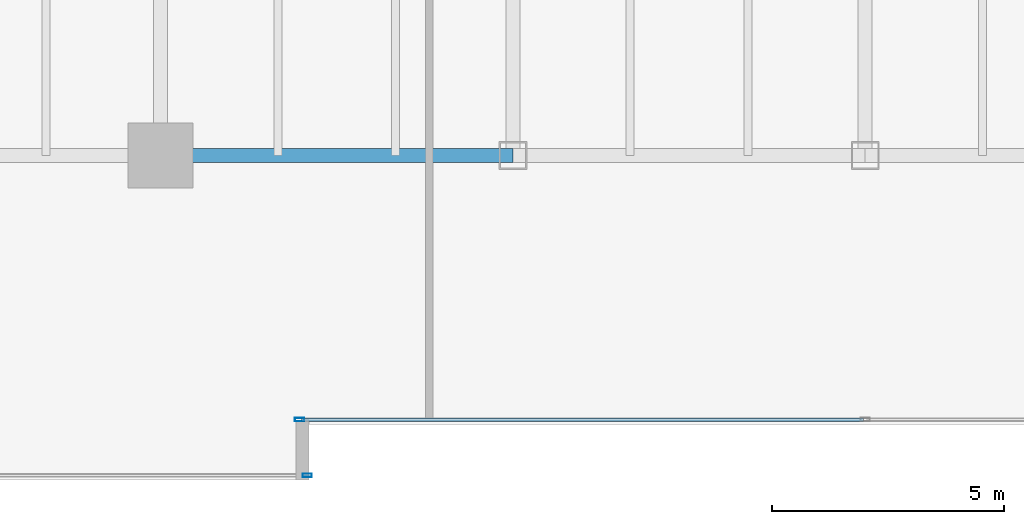
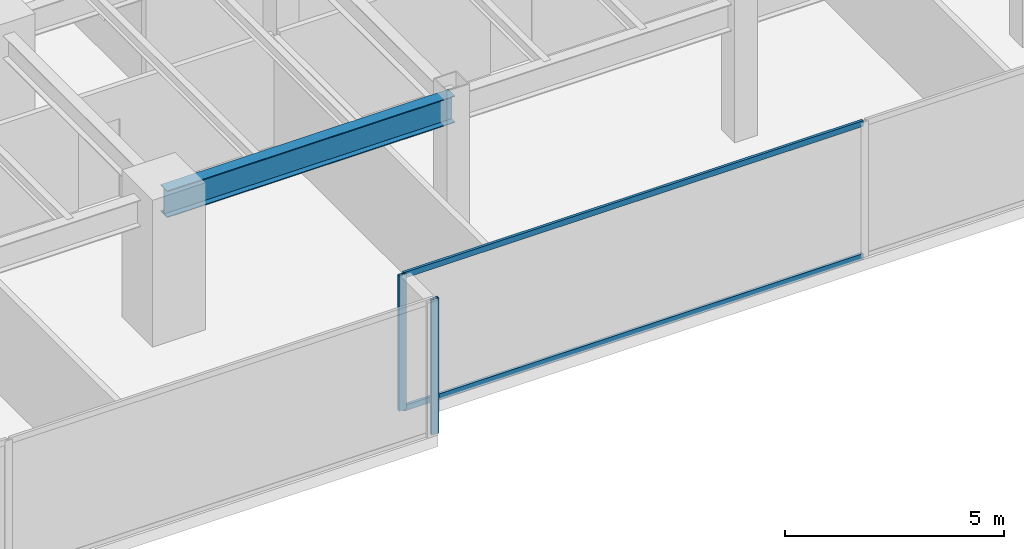
# One storey, part 4 of 35: 4 members, 1 beam, 2 elements without a shape of their own.
"""IFC4 building model written with IfcOpenShell, lengths in metres."""

import ifcopenshell
import ifcopenshell.guid

model = None  # the IFC model being written
_history = None  # IfcOwnerHistory: only IFC2X3 demands one
_inside = {}  # id of a spatial element -> (the spatial element, [elements in it])
_under = {}  # id of a project, library or spatial element -> (it, [spatial elements below it])
_declared = {}  # id of a project -> (the project, [libraries it declares])
_typed = {}  # id of a type object -> (the type object, [elements of that type])
_made_of = {}  # id of a material, layer set ... -> (it, [elements and type objects made of it])


def new_model(schema):
    """Start an empty IFC model of exactly this schema.

    Asked for "IFC4X3", IfcOpenShell would pick the latest addendum, in which some entities
    have other attributes; the version numbers below select the first issue.
    IFC2X3 requires an IfcOwnerHistory on every rooted entity: one is made here for all.
    """
    global model, _history
    if schema == "IFC4X3":
        model = ifcopenshell.file(schema_version=(4, 3, 0, 0))
    else:
        model = ifcopenshell.file(schema=schema)
    _inside.clear()
    _under.clear()
    _declared.clear()
    _typed.clear()
    _made_of.clear()
    _history = None
    if model.schema == "IFC2X3":
        org = make("IfcOrganization", Name="unknown")
        user = make(
            "IfcPersonAndOrganization",
            ThePerson=make("IfcPerson", FamilyName="unknown"),
            TheOrganization=org,
        )
        app = make(
            "IfcApplication",
            ApplicationDeveloper=org,
            Version="unknown",
            ApplicationFullName="unknown",
            ApplicationIdentifier="unknown",
        )
        _history = make(
            "IfcOwnerHistory",
            OwningUser=user,
            OwningApplication=app,
            ChangeAction="ADDED",
            CreationDate=0,
        )
    return model


def make(cls, **values):
    """One entity of the class cls with the attributes given. An attribute that is None is left unset."""
    return model.create_entity(
        cls, **{name: value for name, value in values.items() if value is not None}
    )


def rooted(cls, **values):
    """An entity with a GlobalId (a new one), such as an element, a storey or a relation."""
    return make(cls, GlobalId=ifcopenshell.guid.new(), OwnerHistory=_history, **values)


def si_unit(unit_type, name, prefix=None):
    """IfcSIUnit, for example si_unit("LENGTHUNIT", "METRE", prefix="MILLI")."""
    return make("IfcSIUnit", UnitType=unit_type, Prefix=prefix, Name=name)


def assignment(units):
    """IfcUnitAssignment: the units of a project."""
    return None if units is None else make("IfcUnitAssignment", Units=units)


def point(xyz):
    """IfcCartesianPoint."""
    return None if xyz is None else make("IfcCartesianPoint", Coordinates=xyz)


def direction(xyz):
    """IfcDirection."""
    return None if xyz is None else make("IfcDirection", DirectionRatios=xyz)


def frame(location, z_axis=None, x_axis=None):
    """IfcAxis2Placement3D, a coordinate frame: its origin and axes. An axis left out is left unset."""
    return make(
        "IfcAxis2Placement3D",
        Location=point(location),
        Axis=direction(z_axis),
        RefDirection=direction(x_axis),
    )


def frame_2d(location, x_axis=None):
    """IfcAxis2Placement2D, a coordinate frame in the plane: its origin and x axis."""
    return make(
        "IfcAxis2Placement2D", Location=point(location), RefDirection=direction(x_axis)
    )


def origin():
    """The frame at (0, 0, 0) with its axes left unset."""
    return frame((0.0, 0.0, 0.0))


def origin_2d():
    """The frame at (0, 0) in the plane with its x axis left unset."""
    return frame_2d((0.0, 0.0))


def place(relative_to, where):
    """IfcLocalPlacement: puts the frame where relative to a parent placement (None: the world)."""
    return make(
        "IfcLocalPlacement", PlacementRelTo=relative_to, RelativePlacement=where
    )


def context(
    kind, dimensions, precision=None, world=None, true_north=None, identifier=None
):
    """IfcGeometricRepresentationContext, for example the 3D "Model" context."""
    return make(
        "IfcGeometricRepresentationContext",
        ContextIdentifier=identifier,
        ContextType=kind,
        CoordinateSpaceDimension=dimensions,
        Precision=precision,
        WorldCoordinateSystem=world,
        TrueNorth=true_north,
    )


def subcontext(parent, identifier, kind, view, scale=None):
    """IfcGeometricRepresentationSubContext, for example "Body" below "Model"."""
    return make(
        "IfcGeometricRepresentationSubContext",
        ContextIdentifier=identifier,
        ContextType=kind,
        ParentContext=parent,
        TargetScale=scale,
        TargetView=view,
    )


def project(units=None, contexts=None):
    """IfcProject with its units and contexts."""
    return rooted(
        "IfcProject",
        Name="project",
        RepresentationContexts=contexts,
        UnitsInContext=assignment(units),
    )


def spatial(cls, under=None, at=None, **own):
    """A site, building, storey or space (cls), placed at a placement, below another one or the project."""
    s = rooted(cls, ObjectPlacement=at, **own)
    if under is not None:
        _under.setdefault(under.id(), (under, []))[1].append(s)
    return s


def profile(cls, at=None, kind="AREA", **sizes):
    """A parametric profile (cls). Its sizes go by their IFC names, for example OverallWidth=200.0."""
    return make(cls, ProfileType=kind, Position=at, **sizes)


def hollow_rectangle(**sizes):
    """IfcRectangleHollowProfileDef."""
    return profile("IfcRectangleHollowProfileDef", **sizes)


def i_section(**sizes):
    """IfcIShapeProfileDef."""
    return profile("IfcIShapeProfileDef", **sizes)


def extrude(swept, where, along, depth):
    """IfcExtrudedAreaSolid: the profile swept, set in the frame where, extruded along a direction by depth."""
    return make(
        "IfcExtrudedAreaSolid",
        SweptArea=swept,
        Position=where,
        ExtrudedDirection=direction(along),
        Depth=depth,
    )


def shape(context_of_items, identifier, shape_type, items):
    """IfcShapeRepresentation: the items that make up one representation, for example the "Body"."""
    return make(
        "IfcShapeRepresentation",
        ContextOfItems=context_of_items,
        RepresentationIdentifier=identifier,
        RepresentationType=shape_type,
        Items=items,
    )


def source(mapping_origin, context_of_items, identifier, shape_type, items):
    """IfcRepresentationMap: a shape defined once, which mapped items show again and again."""
    return make(
        "IfcRepresentationMap",
        MappingOrigin=mapping_origin,
        MappedRepresentation=shape(context_of_items, identifier, shape_type, items),
    )


def transform(
    local_origin,
    x_axis=None,
    y_axis=None,
    z_axis=None,
    scale=None,
    scale2=None,
    scale3=None,
    uniform=True,
):
    """IfcCartesianTransformationOperator3D, or its non-uniform kind. x_axis, y_axis, z_axis: its Axis1, 2, 3."""
    if uniform:
        return make(
            "IfcCartesianTransformationOperator3D",
            Axis1=direction(x_axis),
            Axis2=direction(y_axis),
            LocalOrigin=point(local_origin),
            Scale=scale,
            Axis3=direction(z_axis),
        )
    return make(
        "IfcCartesianTransformationOperator3DnonUniform",
        Axis1=direction(x_axis),
        Axis2=direction(y_axis),
        LocalOrigin=point(local_origin),
        Scale=scale,
        Axis3=direction(z_axis),
        Scale2=scale2,
        Scale3=scale3,
    )


def mapped(mapping_source, mapping_target):
    """IfcMappedItem: shows the shape of a source again, moved by a transform."""
    return make(
        "IfcMappedItem", MappingSource=mapping_source, MappingTarget=mapping_target
    )


def material(Name=None, Category=None):
    """IfcMaterial."""
    return make("IfcMaterial", Name=Name, Category=Category)


def layer(
    of_material, thickness, ventilated=None, Name=None, Category=None, Priority=None
):
    """IfcMaterialLayer: one layer of a wall or slab, of a material (None: an air gap)."""
    return make(
        "IfcMaterialLayer",
        Material=of_material,
        LayerThickness=thickness,
        IsVentilated=ventilated,
        Name=Name,
        Category=Category,
        Priority=Priority,
    )


def layer_set(layers, Name=None):
    """IfcMaterialLayerSet."""
    return make("IfcMaterialLayerSet", MaterialLayers=layers, LayerSetName=Name)


def material_profile(
    of_material, cross_section, Name=None, Category=None, Priority=None
):
    """IfcMaterialProfile: a cross section and its material."""
    return make(
        "IfcMaterialProfile",
        Name=Name,
        Material=of_material,
        Profile=cross_section,
        Priority=Priority,
        Category=Category,
    )


def profile_set(profiles, Name=None, composite=None):
    """IfcMaterialProfileSet."""
    return make(
        "IfcMaterialProfileSet",
        Name=Name,
        MaterialProfiles=profiles,
        CompositeProfile=composite,
    )


def made_of(thing, what):
    """Note that an element or type object is made of a material, layer set ...; save() writes the relation."""
    if what is not None:
        _made_of.setdefault(what.id(), (what, []))[1].append(thing)
    return thing


def type_object(cls, material=None, **own):
    """A type object (cls), such as IfcWallType, which elements share."""
    return made_of(rooted(cls, **own), material)


def type_shapes(of_type, sources):
    """Give a type object the sources (RepresentationMaps) that its elements show as mapped items."""
    of_type.RepresentationMaps = sources


def element(
    cls,
    number,
    at=None,
    inside=None,
    cuts=None,
    type_object=None,
    material=None,
    context=None,
    identifier="Body",
    shape_type=None,
    held_by="IfcProductDefinitionShape",
    body=None,
    shapes=None,
    **own,
):
    """One element of the class cls, such as IfcWall. Its Tag is "e" and its number.

    at: its placement. inside: the storey or other place that contains it. cuts: it is an
    opening in that element (IfcRelVoidsElement). A single representation is given by context,
    identifier, shape_type and body (its items); several are given by shapes. held_by: the class
    of the entity that holds the representations. save() writes the other relations.
    """
    e = rooted(cls, Tag="e%d" % number, ObjectPlacement=at, **own)
    if body is not None:
        shapes = [shape(context, identifier, shape_type, body)]
    if shapes is not None:
        e.Representation = make(held_by, Representations=shapes)
    if inside is not None:
        _inside.setdefault(inside.id(), (inside, []))[1].append(e)
    if cuts is not None:
        rooted(
            "IfcRelVoidsElement", RelatingBuildingElement=cuts, RelatedOpeningElement=e
        )
    if type_object is not None:
        _typed.setdefault(type_object.id(), (type_object, []))[1].append(e)
    return made_of(e, material)


def aggregate(whole, parts):
    """IfcRelAggregates: a whole, such as a stair, and the parts it consists of."""
    return rooted("IfcRelAggregates", RelatingObject=whole, RelatedObjects=parts)


def save(model, path):
    """Write the relations noted so far, then the file.

    IfcRelAggregates (storeys below a building ...), IfcRelContainedInSpatialStructure (elements
    in a storey), IfcRelDefinesByType, IfcRelAssociatesMaterial and IfcRelDeclares: one each for
    every whole, place, type object, material and project.
    """
    for whole, parts in _under.values():
        aggregate(whole, parts)
    for where, things in _inside.values():
        rooted(
            "IfcRelContainedInSpatialStructure",
            RelatedElements=things,
            RelatingStructure=where,
        )
    for kind, things in _typed.values():
        rooted("IfcRelDefinesByType", RelatedObjects=things, RelatingType=kind)
    for what, things in _made_of.values():
        rooted("IfcRelAssociatesMaterial", RelatedObjects=things, RelatingMaterial=what)
    for by, libraries in _declared.values():
        rooted("IfcRelDeclares", RelatingContext=by, RelatedDefinitions=libraries)
    model.write(path)


model = new_model("IFC4")

# Units and contexts
model_context = context("Model", 3, precision=1e-05, world=origin(), true_north=direction((0.0, 1.0)))
body_context = subcontext(model_context, "Body", "Model", "MODEL_VIEW")
ifc_project = project(units=[si_unit("LENGTHUNIT", "METRE"), si_unit("AREAUNIT", "SQUARE_METRE"), si_unit("VOLUMEUNIT", "CUBIC_METRE"), si_unit("PLANEANGLEUNIT", "RADIAN"), si_unit("MASSUNIT", "GRAM", prefix="KILO")], contexts=[model_context])

# Site, building, storey
site_placement = place(None, origin())
site = spatial("IfcSite", under=ifc_project, at=site_placement, CompositionType="ELEMENT")
building_placement = place(site_placement, origin())
building = spatial("IfcBuilding", under=site, at=building_placement, Name="Haelvirn Gate Laboratories", CompositionType="ELEMENT")
storey_placement = place(building_placement, frame((0.0, 0.0, 86.699951171875)))
storey = spatial("IfcBuildingStorey", under=building, at=storey_placement, Name="L21", CompositionType="ELEMENT", Elevation=86.699951171875)

# Beam
ifc_material_1 = material(Name="Steel SM355", Category="steel")
ifc_material_profile_1 = material_profile(ifc_material_1, i_section(OverallWidth=0.300048828125, OverallDepth=0.75, WebThickness=0.013916015625, FlangeThickness=0.02392578125, at=origin_2d()), Name="H-750x300x14x24")
ifc_profile_set_1 = profile_set([ifc_material_profile_1], Name="Steel SM355")
beam_type = type_object("IfcBeamType", Name="BM-G-750", PredefinedType="BEAM", material=ifc_profile_set_1)
shared_shape_1 = source(origin(), body_context, "Body", "SweptSolid", [
    extrude(i_section(OverallWidth=0.300048828125, OverallDepth=0.75, WebThickness=0.013916015625, FlangeThickness=0.02392578125, at=origin_2d()), origin(), (0.0, 0.0, 1.0), 7.60009765625),
])
type_shapes(beam_type, [shared_shape_1])
beam_placement = place(storey_placement, frame((22.199951171875, 7.0, 3.405029296875), z_axis=(1.0, 0.0, 0.0), x_axis=(0.0, 1.0, 0.0)))
element("IfcBeam", 1, at=beam_placement, inside=storey, type_object=beam_type, Name="L21 Primary Girder Y7.0 (22.2-29.8)", PredefinedType="BEAM", context=body_context, shape_type="MappedRepresentation", body=[
    mapped(shared_shape_1, transform((0.0, 0.0, 0.0), scale=1.0)),
])

# Curtain wall, member
ifc_material_2 = material(Name="Anodised bronze unitised aluminium & triple low-E glass", Category="aluminium")
ifc_layer = layer(ifc_material_2, 0.18408203125, Name="CW-SYS-2")
ifc_layer_set = layer_set([ifc_layer], Name="Anodised bronze unitised aluminium & triple low-E glass")
curtain_wall_type = type_object("IfcCurtainWallType", Name="CW-SYS-2", PredefinedType="NOTDEFINED", material=ifc_layer_set)
curtain_wall_1_placement = place(storey_placement, origin())
curtain_wall_1 = element("IfcCurtainWall", 2, at=curtain_wall_1_placement, inside=storey, type_object=curtain_wall_type, Name="L21 Unitised Curtain Wall CW-L21-P0-E00-1", PredefinedType="NOTDEFINED")
ifc_material_3 = material(Name="Extruded aluminium 6063-T6 (anodised bronze)", Category="aluminium")
ifc_material_profile_2 = material_profile(ifc_material_3, hollow_rectangle(XDim=0.074951171875, YDim=0.199951171875, WallThickness=0.0048828125, at=origin_2d()), Name="CWM-200x75x5")
ifc_profile_set_2 = profile_set([ifc_material_profile_2], Name="Extruded aluminium 6063-T6 (anodised bronze)")
member_type_1 = type_object("IfcMemberType", Name="CWM-T200", PredefinedType="MULLION", material=ifc_profile_set_2)
shared_shape_2 = source(origin(), body_context, "Body", "SweptSolid", [
    extrude(hollow_rectangle(XDim=0.074951171875, YDim=0.199951171875, WallThickness=0.0048828125, at=origin_2d()), origin(), (0.0, 0.0, 1.0), 3.780029296875),
])
type_shapes(member_type_1, [shared_shape_2])
member_1_placement = place(storey_placement, frame((25.362548828125, 0.10009765625, 0.0), z_axis=(0.0, 0.0, 1.0), x_axis=(0.0, 1.0, 0.0)))
member_1 = element("IfcMember", 3, at=member_1_placement, type_object=member_type_1, Name="CW2 mullion 3", PredefinedType="MULLION", context=body_context, shape_type="MappedRepresentation", body=[
    mapped(shared_shape_2, transform((0.0, 0.0, 0.0), scale=1.0)),
])
aggregate(curtain_wall_1, [member_1])

# Curtain wall, members
curtain_wall_2_placement = place(storey_placement, origin())
curtain_wall_2 = element("IfcCurtainWall", 4, at=curtain_wall_2_placement, inside=storey, type_object=curtain_wall_type, Name="L21 Unitised Curtain Wall CW-L21-P0-E02-1", PredefinedType="NOTDEFINED")
member_2_placement = place(storey_placement, frame((25.197509765625, 1.300048828125, 0.0), z_axis=(0.0, 0.0, 1.0), x_axis=(0.0, 1.0, 0.0)))
member_2 = element("IfcMember", 5, at=member_2_placement, type_object=member_type_1, Name="CW2 mullion 1", PredefinedType="MULLION", context=body_context, shape_type="MappedRepresentation", body=[
    mapped(shared_shape_2, transform((0.0, 0.0, 0.0), scale=1.0)),
])
ifc_material_profile_3 = material_profile(ifc_material_3, hollow_rectangle(XDim=0.070068359375, YDim=0.159912109375, WallThickness=0.0048828125, at=origin_2d()), Name="CWT-160x70x5")
ifc_profile_set_3 = profile_set([ifc_material_profile_3], Name="Extruded aluminium 6063-T6 (anodised bronze)")
member_type_2 = type_object("IfcMemberType", Name="CWT-T160", PredefinedType="USERDEFINED", material=ifc_profile_set_3)
shared_shape_3 = source(origin(), body_context, "Body", "SweptSolid", [
    extrude(hollow_rectangle(XDim=0.070068359375, YDim=0.159912109375, WallThickness=0.0048828125, at=origin_2d()), origin(), (0.0, 0.0, 1.0), 12.12744140625),
])
type_shapes(member_type_2, [shared_shape_3])
member_3_placement = place(storey_placement, frame((25.235107421875, 1.300048828125, 0.03515625), z_axis=(1.0, 0.0, 0.0), x_axis=(0.0, 1.0, 0.0)))
member_3 = element("IfcMember", 6, at=member_3_placement, type_object=member_type_2, Name="CW2 transom 1.1", ObjectType="TRANSOM", PredefinedType="USERDEFINED", context=body_context, shape_type="MappedRepresentation", body=[
    mapped(shared_shape_3, transform((0.0, 0.0, 0.0), scale=1.0)),
])
member_4_placement = place(storey_placement, frame((25.235107421875, 1.300048828125, 3.7451171875), z_axis=(1.0, 0.0, 0.0), x_axis=(0.0, 1.0, 0.0)))
member_4 = element("IfcMember", 7, at=member_4_placement, type_object=member_type_2, Name="CW2 transom 1.2", ObjectType="TRANSOM", PredefinedType="USERDEFINED", context=body_context, shape_type="MappedRepresentation", body=[
    mapped(shared_shape_3, transform((0.0, 0.0, 0.0), scale=1.0)),
])
aggregate(curtain_wall_2, [member_2, member_3, member_4])

save(model, "model.ifc")
